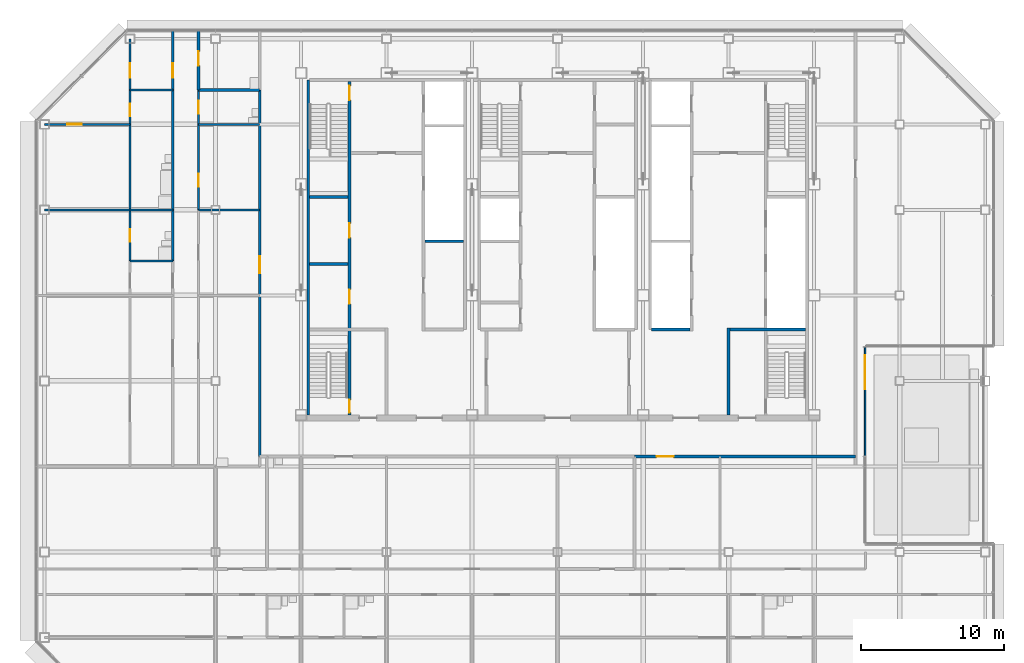
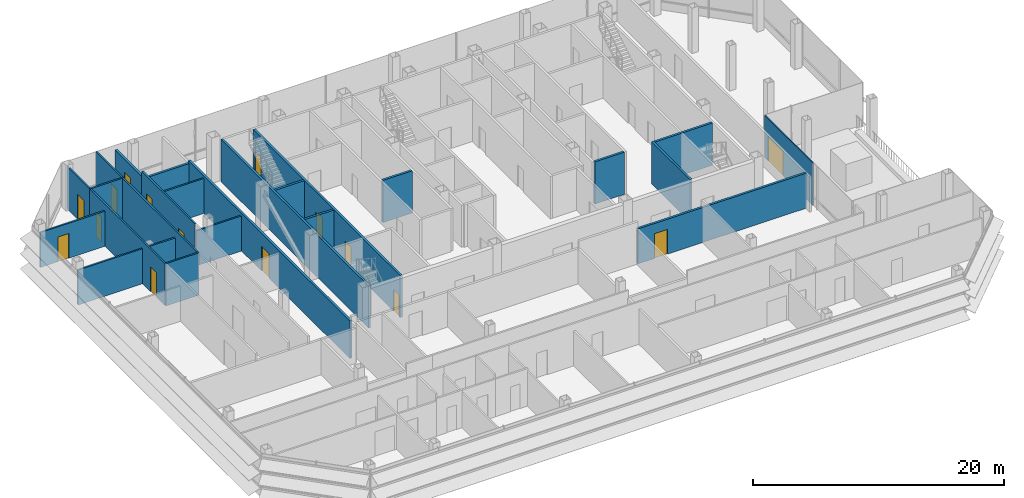
# One storey, part 24 of 30: 25 walls, 15 doors, 15 openings.
"""IFC4 building model written with IfcOpenShell, lengths in metres."""

from ifc_helpers import new_model, si_unit, direction, frame, frame_2d, origin, place, context, subcontext, project, spatial, rectangle, extrude, material, layer, layer_set, type_object, element, fill, save


model = new_model("IFC4")

# Units and contexts
model_context = context("Model", 3, precision=1e-05, world=origin(), true_north=direction((0.0, 1.0)))
body_context = subcontext(model_context, "Body", "Model", "MODEL_VIEW")
ifc_project = project(units=[si_unit("LENGTHUNIT", "METRE"), si_unit("AREAUNIT", "SQUARE_METRE"), si_unit("VOLUMEUNIT", "CUBIC_METRE"), si_unit("PLANEANGLEUNIT", "RADIAN"), si_unit("MASSUNIT", "GRAM", prefix="KILO")], contexts=[model_context])

# Site, building, storey
site_placement = place(None, origin())
site = spatial("IfcSite", under=ifc_project, at=site_placement, CompositionType="ELEMENT")
building_placement = place(site_placement, origin())
building = spatial("IfcBuilding", under=site, at=building_placement, Name="Sorahane Residences", CompositionType="ELEMENT")
storey_placement = place(building_placement, frame((0.0, 0.0, 229.800048828125)))
storey = spatial("IfcBuildingStorey", under=building, at=storey_placement, Name="L54", CompositionType="ELEMENT", Elevation=229.800048828125)

# Wall
ifc_material_1 = material(Name="Concrete C30", Category="concrete")
ifc_layer_1 = layer(ifc_material_1, 0.199951171875)
ifc_layer_set_1 = layer_set([ifc_layer_1], Name="Core face wall 200 EI 180")
wall_type_1 = type_object("IfcWallType", Name="Core face wall 200 EI 180", PredefinedType="SOLIDWALL", material=ifc_layer_set_1)
wall_1_placement = place(storey_placement, frame((6.5, 21.60009765625, 0.0), z_axis=(0.0, 0.0, 1.0), x_axis=(0.0, 1.0, 0.0)))
element("IfcWall", 1, at=wall_1_placement, inside=storey, type_object=wall_type_1, Name="L54 core face wall", PredefinedType="SOLIDWALL", context=body_context, shape_type="SweptSolid", body=[
    extrude(rectangle(XDim=23.5, YDim=0.199951171875, at=frame_2d((11.75, 0.0))), origin(), (0.0, 0.0, 1.0), 4.099853515625),
])

# Wall, opening, door
ifc_material_2 = material(Name="Concrete blockwork C20 wall", Category="masonry")
ifc_layer_2 = layer(ifc_material_2, 0.199951171875)
ifc_layer_set_2 = layer_set([ifc_layer_2], Name="Corridor wall 200 EI 120")
wall_type_2 = type_object("IfcWallType", Name="Corridor wall 200 EI 120", PredefinedType="SOLIDWALL", material=ifc_layer_set_2)
wall_2_placement = place(storey_placement, frame((3.10009765625, 18.699951171875, 0.0), z_axis=(0.0, 0.0, 1.0), x_axis=(0.0, 1.0, 0.0)))
wall_2 = element("IfcWall", 2, at=wall_2_placement, inside=storey, type_object=wall_type_2, Name="L54 corridor wall", PredefinedType="SOLIDWALL", context=body_context, shape_type="SweptSolid", body=[
    extrude(rectangle(XDim=25.699951171875, YDim=0.199951171875, at=frame_2d((12.85009765625, 0.0))), origin(), (0.0, 0.0, 1.0), 3.64990234375),
])
opening_1_placement = place(wall_2_placement, frame((12.840087890625, 0.0, 0.0)))
opening_1 = element("IfcOpeningElement", 3, at=opening_1_placement, cuts=wall_2, Name="Opening L54-42", PredefinedType="OPENING", context=body_context, shape_type="SweptSolid", body=[
    extrude(rectangle(XDim=1.199951171875, YDim=2.39990234375, at=frame_2d((0.60009765625, 1.199951171875))), frame((0.0, 0.10986328125, 0.0), z_axis=(0.0, -1.0, 0.0), x_axis=(1.0, 0.0, 0.0)), (0.0, 0.0, 1.0), 0.219970703125),
])
ifc_material_3 = material(Name="Timber veneered fire door", Category="wood")
door_type_1 = type_object("IfcDoorType", Name="Flat entrance door 1200x2400 FD60", OperationType="NOTDEFINED", PredefinedType="DOOR", material=ifc_material_3)
door_1_placement = place(opening_1_placement, origin())
door_1 = element("IfcDoor", 4, at=door_1_placement, inside=storey, type_object=door_type_1, Name="Flat entrance door L54-42", OperationType="SINGLE_SWING_RIGHT", OverallHeight=2.39990234375, OverallWidth=1.199951171875, PredefinedType="DOOR", context=body_context, shape_type="SweptSolid", body=[
    extrude(rectangle(XDim=1.199951171875, YDim=2.39990234375, at=frame_2d((0.60009765625, 1.199951171875))), frame((0.0, 0.02490234375, 0.0), z_axis=(0.0, -1.0, 0.0), x_axis=(1.0, 0.0, 0.0)), (0.0, 0.0, 1.0), 0.050048828125),
])
fill(opening_1, door_1)

wall_3_placement = place(storey_placement, frame((29.39990234375, 18.699951171875, 0.0), z_axis=(0.0, 0.0, 1.0), x_axis=(1.0, 0.0, 0.0)))
wall_3 = element("IfcWall", 5, at=wall_3_placement, inside=storey, type_object=wall_type_2, Name="L54 corridor wall", PredefinedType="SOLIDWALL", context=body_context, shape_type="SweptSolid", body=[
    extrude(rectangle(XDim=15.5, YDim=0.199951171875, at=frame_2d((7.75, 0.0))), origin(), (0.0, 0.0, 1.0), 3.39990234375),
])
opening_2_placement = place(wall_3_placement, frame((1.5400390625, 0.0, 0.0)))
opening_2 = element("IfcOpeningElement", 6, at=opening_2_placement, cuts=wall_3, Name="Opening L54-41", PredefinedType="OPENING", context=body_context, shape_type="SweptSolid", body=[
    extrude(rectangle(XDim=1.199951171875, YDim=2.39990234375, at=frame_2d((0.60009765625, 1.199951171875))), frame((0.0, 0.10986328125, 0.0), z_axis=(0.0, -1.0, 0.0), x_axis=(1.0, 0.0, 0.0)), (0.0, 0.0, 1.0), 0.219970703125),
])
door_2_placement = place(opening_2_placement, frame((1.199951171875, 0.0, 0.0), z_axis=(0.0, 0.0, 1.0), x_axis=(-1.0, 0.0, 0.0)))
door_2 = element("IfcDoor", 7, at=door_2_placement, inside=storey, type_object=door_type_1, Name="Flat entrance door L54-41", OperationType="SINGLE_SWING_LEFT", OverallHeight=2.39990234375, OverallWidth=1.199951171875, PredefinedType="DOOR", context=body_context, shape_type="SweptSolid", body=[
    extrude(rectangle(XDim=1.199951171875, YDim=2.39990234375, at=frame_2d((0.60009765625, 1.199951171875))), frame((0.0, 0.02490234375, 0.0), z_axis=(0.0, -1.0, 0.0), x_axis=(1.0, 0.0, 0.0)), (0.0, 0.0, 1.0), 0.050048828125),
])
fill(opening_2, door_2)

# Wall
ifc_material_4 = material(Name="Concrete C30", Category="concrete")
ifc_layer_3 = layer(ifc_material_4, 0.199951171875)
ifc_layer_set_3 = layer_set([ifc_layer_3], Name="Front room wall 200 EI 120")
wall_type_3 = type_object("IfcWallType", Name="Front room wall 200 EI 120", PredefinedType="PARTITIONING", material=ifc_layer_set_3)
wall_4_placement = place(storey_placement, frame((36.0, 21.60009765625, 0.0), z_axis=(0.0, 0.0, 1.0), x_axis=(0.0, 1.0, 0.0)))
element("IfcWall", 8, at=wall_4_placement, inside=storey, type_object=wall_type_3, Name="L54 front room wall", PredefinedType="PARTITIONING", context=body_context, shape_type="SweptSolid", body=[
    extrude(rectangle(XDim=6.099853515625, YDim=0.199951171875, at=frame_2d((3.0498046875, 0.0))), origin(), (0.0, 0.0, 1.0), 4.099853515625),
])

# Wall, opening, door
ifc_material_5 = material(Name="Toughened low-iron glass", Category="glass")
ifc_layer_4 = layer(ifc_material_5, 0.10009765625)
ifc_layer_set_4 = layer_set([ifc_layer_4], Name="Glazed door screen toughened low-iron glass 100")
wall_type_4 = type_object("IfcWallType", Name="Glazed door screen toughened low-iron glass 100", PredefinedType="SOLIDWALL", material=ifc_layer_set_4)
wall_5_placement = place(storey_placement, frame((45.570068359375, 18.72509765625, 0.0), z_axis=(0.0, 0.0, 1.0), x_axis=(0.0, 1.0, 0.0)))
wall_5 = element("IfcWall", 9, at=wall_5_placement, inside=storey, type_object=wall_type_4, Name="Glazed door screen L54 E2.3", PredefinedType="SOLIDWALL", context=body_context, shape_type="SweptSolid", body=[
    extrude(rectangle(XDim=7.625, YDim=0.10009765625, at=frame_2d((3.8125, 0.0))), origin(), (0.0, 0.0, 1.0), 4.099853515625),
])
opening_3_placement = place(wall_5_placement, frame((4.675048828125, 0.0, 0.0)))
opening_3 = element("IfcOpeningElement", 10, at=opening_3_placement, cuts=wall_5, Name="Opening L54-F01", PredefinedType="OPENING", context=body_context, shape_type="SweptSolid", body=[
    extrude(rectangle(XDim=2.39990234375, YDim=2.39990234375, at=frame_2d((1.199951171875, 1.199951171875))), frame((0.0, 0.06005859375, 0.0), z_axis=(0.0, -1.0, 0.0), x_axis=(1.0, 0.0, 0.0)), (0.0, 0.0, 1.0), 0.1201171875),
])
ifc_material_6 = material(Name="Black anodised aluminium and low-iron glass", Category="aluminium")
door_type_2 = type_object("IfcDoorType", Name="Glazed terrace door black aluminium 2400x2400", OperationType="DOUBLE_DOOR_SINGLE_SWING", PredefinedType="DOOR", material=ifc_material_6)
door_3_placement = place(opening_3_placement, origin())
door_3 = element("IfcDoor", 11, at=door_3_placement, inside=storey, type_object=door_type_2, Name="Terrace door L54-F01", OperationType="DOUBLE_DOOR_SINGLE_SWING", OverallHeight=2.39990234375, OverallWidth=2.39990234375, PredefinedType="DOOR", context=body_context, shape_type="SweptSolid", body=[
    extrude(rectangle(XDim=2.39990234375, YDim=2.39990234375, at=frame_2d((1.199951171875, 1.199951171875))), frame((0.0, 0.02490234375, 0.0), z_axis=(0.0, -1.0, 0.0), x_axis=(1.0, 0.0, 0.0)), (0.0, 0.0, 1.0), 0.050048828125),
])
fill(opening_3, door_3)

ifc_material_7 = material(Name="Concrete blockwork C20 wall", Category="masonry")
ifc_layer_5 = layer(ifc_material_7, 0.199951171875)
ifc_layer_set_5 = layer_set([ifc_layer_5], Name="Kitchen wall 200 EI 180")
wall_type_5 = type_object("IfcWallType", Name="Kitchen wall 200 EI 180", PredefinedType="SOLIDWALL", material=ifc_layer_set_5)
wall_6_placement = place(storey_placement, frame((-1.199951171875, 44.39990234375, 0.0), z_axis=(0.0, 0.0, 1.0), x_axis=(0.0, 1.0, 0.0)))
wall_6 = element("IfcWall", 12, at=wall_6_placement, inside=storey, type_object=wall_type_5, Name="L54 kitchen wall", PredefinedType="SOLIDWALL", context=body_context, shape_type="SweptSolid", body=[
    extrude(rectangle(XDim=4.2001953125, YDim=0.199951171875, at=frame_2d((2.10009765625, 0.0))), origin(), (0.0, 0.0, 1.0), 3.64990234375),
])
opening_4_placement = place(wall_6_placement, frame((1.719970703125, 0.0, 0.0)))
opening_4 = element("IfcOpeningElement", 13, at=opening_4_placement, cuts=wall_6, Name="Opening L54-30", PredefinedType="OPENING", context=body_context, shape_type="SweptSolid", body=[
    extrude(rectangle(XDim=1.0, YDim=2.39990234375, at=frame_2d((0.5, 1.199951171875))), frame((0.0, 0.10986328125, 0.0), z_axis=(0.0, -1.0, 0.0), x_axis=(1.0, 0.0, 0.0)), (0.0, 0.0, 1.0), 0.219970703125),
])
ifc_material_8 = material(Name="Steel", Category="steel")
door_type_3 = type_object("IfcDoorType", Name="Kitchen door 1000x2400 FD120", OperationType="NOTDEFINED", PredefinedType="DOOR", material=ifc_material_8)
door_4_placement = place(opening_4_placement, frame((1.0, 0.0, 0.0), z_axis=(0.0, 0.0, 1.0), x_axis=(-1.0, 0.0, 0.0)))
door_4 = element("IfcDoor", 14, at=door_4_placement, inside=storey, type_object=door_type_3, Name="Kitchen door L54-30", OperationType="SINGLE_SWING_LEFT", OverallHeight=2.39990234375, OverallWidth=1.0, PredefinedType="DOOR", context=body_context, shape_type="SweptSolid", body=[
    extrude(rectangle(XDim=1.0, YDim=2.39990234375, at=frame_2d((0.5, 1.199951171875))), frame((0.0, 0.02490234375, 0.0), z_axis=(0.0, -1.0, 0.0), x_axis=(1.0, 0.0, 0.0)), (0.0, 0.0, 1.0), 0.050048828125),
])
fill(opening_4, door_4)

# Walls
wall_7_placement = place(storey_placement, frame((-1.199951171875, 44.39990234375, 0.0), z_axis=(0.0, 0.0, 1.0), x_axis=(1.0, 0.0, 0.0)))
element("IfcWall", 15, at=wall_7_placement, inside=storey, type_object=wall_type_5, Name="L54 kitchen wall", PredefinedType="SOLIDWALL", context=body_context, shape_type="SweptSolid", body=[
    extrude(rectangle(XDim=4.300048828125, YDim=0.199951171875, at=frame_2d((2.14990234375, 0.0))), origin(), (0.0, 0.0, 1.0), 3.39990234375),
])
ifc_material_9 = material(Name="Concrete C30", Category="concrete")
ifc_layer_6 = layer(ifc_material_9, 0.199951171875)
ifc_layer_set_6 = layer_set([ifc_layer_6], Name="Lift shaft wall 200 EI 120")
wall_type_6 = type_object("IfcWallType", Name="Lift shaft wall 200 EI 120", PredefinedType="SOLIDWALL", material=ifc_layer_set_6)
wall_8_placement = place(storey_placement, frame((30.60009765625, 27.60009765625, 0.0), z_axis=(0.0, 0.0, 1.0), x_axis=(1.0, 0.0, 0.0)))
element("IfcWall", 16, at=wall_8_placement, inside=storey, type_object=wall_type_6, Name="L54 lift shaft wall", PredefinedType="SOLIDWALL", context=body_context, shape_type="SweptSolid", body=[
    extrude(rectangle(XDim=2.699951171875, YDim=0.199951171875, at=frame_2d((1.35009765625, 0.0))), origin(), (0.0, 0.0, 1.0), 4.099853515625),
])

# Wall, opening, door
ifc_material_10 = material(Name="Gypsum board partition on steel studs", Category="steel")
ifc_layer_7 = layer(ifc_material_10, 0.14990234375)
ifc_layer_set_7 = layer_set([ifc_layer_7], Name="Partition 150 EI 90")
wall_type_7 = type_object("IfcWallType", Name="Partition 150 EI 90", PredefinedType="PARTITIONING", material=ifc_layer_set_7)
wall_9_placement = place(storey_placement, frame((-3.0, 44.39990234375, 0.0), z_axis=(0.0, 0.0, 1.0), x_axis=(0.0, 1.0, 0.0)))
wall_9 = element("IfcWall", 17, at=wall_9_placement, inside=storey, type_object=wall_type_7, Name="L54 partition", PredefinedType="PARTITIONING", context=body_context, shape_type="SweptSolid", body=[
    extrude(rectangle(XDim=4.2001953125, YDim=0.14990234375, at=frame_2d((2.10009765625, 0.0))), origin(), (0.0, 0.0, 1.0), 4.099853515625),
])
opening_5_placement = place(wall_9_placement, frame((0.8798828125, 0.0, 0.0)))
opening_5 = element("IfcOpeningElement", 18, at=opening_5_placement, cuts=wall_9, Name="Opening L54-33", PredefinedType="OPENING", context=body_context, shape_type="SweptSolid", body=[
    extrude(rectangle(XDim=1.0, YDim=2.39990234375, at=frame_2d((0.5, 1.199951171875))), frame((0.0, 0.0849609375, 0.0), z_axis=(0.0, -1.0, 0.0), x_axis=(1.0, 0.0, 0.0)), (0.0, 0.0, 1.0), 0.169921875),
])
ifc_material_11 = material(Name="Timber veneered fire door", Category="wood")
door_type_4 = type_object("IfcDoorType", Name="Room door 1000x2400 FD30", OperationType="NOTDEFINED", PredefinedType="DOOR", material=ifc_material_11)
door_5_placement = place(opening_5_placement, origin())
door_5 = element("IfcDoor", 19, at=door_5_placement, inside=storey, type_object=door_type_4, Name="Room door L54-33", OperationType="SINGLE_SWING_RIGHT", OverallHeight=2.39990234375, OverallWidth=1.0, PredefinedType="DOOR", context=body_context, shape_type="SweptSolid", body=[
    extrude(rectangle(XDim=1.0, YDim=2.39990234375, at=frame_2d((0.5, 1.199951171875))), frame((0.0, 0.02490234375, 0.0), z_axis=(0.0, -1.0, 0.0), x_axis=(1.0, 0.0, 0.0)), (0.0, 0.0, 1.0), 0.050048828125),
])
fill(opening_5, door_5)

wall_10_placement = place(storey_placement, frame((-6.0, 44.39990234375, 0.0), z_axis=(0.0, 0.0, 1.0), x_axis=(0.0, 1.0, 0.0)))
wall_10 = element("IfcWall", 20, at=wall_10_placement, inside=storey, type_object=wall_type_7, Name="L54 partition", PredefinedType="PARTITIONING", context=body_context, shape_type="SweptSolid", body=[
    extrude(rectangle(XDim=3.60009765625, YDim=0.14990234375, at=frame_2d((1.800048828125, 0.0))), origin(), (0.0, 0.0, 1.0), 4.099853515625),
])
opening_6_placement = place(wall_10_placement, frame((0.8798828125, 0.0, 0.0)))
opening_6 = element("IfcOpeningElement", 21, at=opening_6_placement, cuts=wall_10, Name="Opening L54-37", PredefinedType="OPENING", context=body_context, shape_type="SweptSolid", body=[
    extrude(rectangle(XDim=1.0, YDim=2.39990234375, at=frame_2d((0.5, 1.199951171875))), frame((0.0, 0.0849609375, 0.0), z_axis=(0.0, -1.0, 0.0), x_axis=(1.0, 0.0, 0.0)), (0.0, 0.0, 1.0), 0.169921875),
])
door_6_placement = place(opening_6_placement, origin())
door_6 = element("IfcDoor", 22, at=door_6_placement, inside=storey, type_object=door_type_4, Name="Room door L54-37", OperationType="SINGLE_SWING_RIGHT", OverallHeight=2.39990234375, OverallWidth=1.0, PredefinedType="DOOR", context=body_context, shape_type="SweptSolid", body=[
    extrude(rectangle(XDim=1.0, YDim=2.39990234375, at=frame_2d((0.5, 1.199951171875))), frame((0.0, 0.02490234375, 0.0), z_axis=(0.0, -1.0, 0.0), x_axis=(1.0, 0.0, 0.0)), (0.0, 0.0, 1.0), 0.050048828125),
])
fill(opening_6, door_6)

# Wall
wall_11_placement = place(storey_placement, frame((-12.0, 36.0, 0.0), z_axis=(0.0, 0.0, 1.0), x_axis=(1.0, 0.0, 0.0)))
element("IfcWall", 23, at=wall_11_placement, inside=storey, type_object=wall_type_7, Name="L54 partition", PredefinedType="PARTITIONING", context=body_context, shape_type="SweptSolid", body=[
    extrude(rectangle(XDim=6.0, YDim=0.14990234375, at=frame_2d((3.0, 0.0))), origin(), (0.0, 0.0, 1.0), 3.39990234375),
])

# Wall, opening, door
wall_12_placement = place(storey_placement, frame((-12.0, 42.0, 0.0), z_axis=(0.0, 0.0, 1.0), x_axis=(1.0, 0.0, 0.0)))
wall_12 = element("IfcWall", 24, at=wall_12_placement, inside=storey, type_object=wall_type_7, Name="L54 partition", PredefinedType="PARTITIONING", context=body_context, shape_type="SweptSolid", body=[
    extrude(rectangle(XDim=6.0, YDim=0.14990234375, at=frame_2d((3.0, 0.0))), origin(), (0.0, 0.0, 1.0), 3.39990234375),
])
opening_7_placement = place(wall_12_placement, frame((1.60009765625, 0.0, 0.0)))
opening_7 = element("IfcOpeningElement", 25, at=opening_7_placement, cuts=wall_12, Name="Opening L54-38", PredefinedType="OPENING", context=body_context, shape_type="SweptSolid", body=[
    extrude(rectangle(XDim=1.0, YDim=2.39990234375, at=frame_2d((0.5, 1.199951171875))), frame((0.0, 0.0849609375, 0.0), z_axis=(0.0, -1.0, 0.0), x_axis=(1.0, 0.0, 0.0)), (0.0, 0.0, 1.0), 0.169921875),
])
door_7_placement = place(opening_7_placement, frame((1.0, 0.0, 0.0), z_axis=(0.0, 0.0, 1.0), x_axis=(-1.0, 0.0, 0.0)))
door_7 = element("IfcDoor", 26, at=door_7_placement, inside=storey, type_object=door_type_4, Name="Room door L54-38", OperationType="SINGLE_SWING_RIGHT", OverallHeight=2.39990234375, OverallWidth=1.0, PredefinedType="DOOR", context=body_context, shape_type="SweptSolid", body=[
    extrude(rectangle(XDim=1.0, YDim=2.39990234375, at=frame_2d((0.5, 1.199951171875))), frame((0.0, 0.02490234375, 0.0), z_axis=(0.0, -1.0, 0.0), x_axis=(1.0, 0.0, 0.0)), (0.0, 0.0, 1.0), 0.050048828125),
])
fill(opening_7, door_7)

# Walls
ifc_material_12 = material(Name="Concrete C30", Category="concrete")
ifc_layer_8 = layer(ifc_material_12, 0.199951171875)
ifc_layer_set_8 = layer_set([ifc_layer_8], Name="Riser shaft wall 200 EI 120")
wall_type_8 = type_object("IfcWallType", Name="Riser shaft wall 200 EI 120", PredefinedType="SOLIDWALL", material=ifc_layer_set_8)
wall_13_placement = place(storey_placement, frame((14.699951171875, 33.800048828125, 0.0), z_axis=(0.0, 0.0, 1.0), x_axis=(1.0, 0.0, 0.0)))
element("IfcWall", 27, at=wall_13_placement, inside=storey, type_object=wall_type_8, Name="L54 riser wall", PredefinedType="SOLIDWALL", context=body_context, shape_type="SweptSolid", body=[
    extrude(rectangle(XDim=2.699951171875, YDim=0.199951171875, at=frame_2d((1.35009765625, 0.0))), origin(), (0.0, 0.0, 1.0), 4.099853515625),
])
ifc_material_13 = material(Name="Concrete C30", Category="concrete")
ifc_layer_9 = layer(ifc_material_13, 0.199951171875)
ifc_layer_set_9 = layer_set([ifc_layer_9], Name="Service room partition 200 EI 60")
wall_type_9 = type_object("IfcWallType", Name="Service room partition 200 EI 60", PredefinedType="PARTITIONING", material=ifc_layer_set_9)
wall_14_placement = place(storey_placement, frame((6.60009765625, 32.199951171875, 0.0), z_axis=(0.0, 0.0, 1.0), x_axis=(1.0, 0.0, 0.0)))
element("IfcWall", 28, at=wall_14_placement, inside=storey, type_object=wall_type_9, Name="L54 service room wall", PredefinedType="PARTITIONING", context=body_context, shape_type="SweptSolid", body=[
    extrude(rectangle(XDim=2.699951171875, YDim=0.199951171875, at=frame_2d((1.35009765625, 0.0))), origin(), (0.0, 0.0, 1.0), 4.099853515625),
])

# Wall, openings, doors
ifc_material_14 = material(Name="Concrete C30", Category="concrete")
ifc_layer_10 = layer(ifc_material_14, 0.199951171875)
ifc_layer_set_10 = layer_set([ifc_layer_10], Name="Stair enclosure wall 200 EI 120")
wall_type_10 = type_object("IfcWallType", Name="Stair enclosure wall 200 EI 120", PredefinedType="SOLIDWALL", material=ifc_layer_set_10)
wall_15_placement = place(storey_placement, frame((9.39990234375, 21.60009765625, 0.0), z_axis=(0.0, 0.0, 1.0), x_axis=(0.0, 1.0, 0.0)))
wall_15 = element("IfcWall", 29, at=wall_15_placement, inside=storey, type_object=wall_type_10, Name="L54 stair enclosure wall", PredefinedType="SOLIDWALL", context=body_context, shape_type="SweptSolid", body=[
    extrude(rectangle(XDim=23.39990234375, YDim=0.199951171875, at=frame_2d((11.699951171875, 0.0))), origin(), (0.0, 0.0, 1.0), 4.099853515625),
])
opening_8_placement = place(wall_15_placement, frame((7.800048828125, 0.0, 0.0)))
opening_8 = element("IfcOpeningElement", 30, at=opening_8_placement, cuts=wall_15, Name="Opening L54-C21", PredefinedType="OPENING", context=body_context, shape_type="SweptSolid", body=[
    extrude(rectangle(XDim=1.0, YDim=2.10009765625, at=frame_2d((0.5, 1.050048828125))), frame((0.0, 0.10986328125, 0.0), z_axis=(0.0, -1.0, 0.0), x_axis=(1.0, 0.0, 0.0)), (0.0, 0.0, 1.0), 0.219970703125),
])
opening_9_placement = place(wall_15_placement, frame((12.449951171875, 0.0, 0.0)))
opening_9 = element("IfcOpeningElement", 31, at=opening_9_placement, cuts=wall_15, Name="Opening L54-C22", PredefinedType="OPENING", context=body_context, shape_type="SweptSolid", body=[
    extrude(rectangle(XDim=1.0, YDim=2.10009765625, at=frame_2d((0.5, 1.050048828125))), frame((0.0, 0.10986328125, 0.0), z_axis=(0.0, -1.0, 0.0), x_axis=(1.0, 0.0, 0.0)), (0.0, 0.0, 1.0), 0.219970703125),
])
opening_10_placement = place(wall_15_placement, frame((22.10009765625, 0.0, 0.0)))
opening_10 = element("IfcOpeningElement", 32, at=opening_10_placement, cuts=wall_15, Name="Opening L54-C23", PredefinedType="OPENING", context=body_context, shape_type="SweptSolid", body=[
    extrude(rectangle(XDim=1.0, YDim=2.10009765625, at=frame_2d((0.5, 1.050048828125))), frame((0.0, 0.10986328125, 0.0), z_axis=(0.0, -1.0, 0.0), x_axis=(1.0, 0.0, 0.0)), (0.0, 0.0, 1.0), 0.219970703125),
])
opening_11_placement = place(wall_15_placement, frame((0.175048828125, 0.0, 0.0)))
opening_11 = element("IfcOpeningElement", 33, at=opening_11_placement, cuts=wall_15, Name="Opening L54-C26", PredefinedType="OPENING", context=body_context, shape_type="SweptSolid", body=[
    extrude(rectangle(XDim=0.89990234375, YDim=2.10009765625, at=frame_2d((0.449951171875, 1.050048828125))), frame((0.0, 0.10986328125, 0.0), z_axis=(0.0, -1.0, 0.0), x_axis=(1.0, 0.0, 0.0)), (0.0, 0.0, 1.0), 0.219970703125),
])
ifc_material_15 = material(Name="Steel", Category="steel")
door_type_5 = type_object("IfcDoorType", Name="Service room door 1000x2100 FD60", OperationType="NOTDEFINED", PredefinedType="DOOR", material=ifc_material_15)
door_8_placement = place(opening_8_placement, origin())
door_8 = element("IfcDoor", 34, at=door_8_placement, inside=storey, type_object=door_type_5, Name="Service room door Valet store L54", OperationType="SINGLE_SWING_RIGHT", OverallHeight=2.10009765625, OverallWidth=1.0, PredefinedType="DOOR", context=body_context, shape_type="SweptSolid", body=[
    extrude(rectangle(XDim=1.0, YDim=2.10009765625, at=frame_2d((0.5, 1.050048828125))), frame((0.0, 0.02490234375, 0.0), z_axis=(0.0, -1.0, 0.0), x_axis=(1.0, 0.0, 0.0)), (0.0, 0.0, 1.0), 0.050048828125),
])
fill(opening_8, door_8)
door_9_placement = place(opening_9_placement, origin())
door_9 = element("IfcDoor", 35, at=door_9_placement, inside=storey, type_object=door_type_5, Name="Service room door Valet store L54", OperationType="SINGLE_SWING_LEFT", OverallHeight=2.10009765625, OverallWidth=1.0, PredefinedType="DOOR", context=body_context, shape_type="SweptSolid", body=[
    extrude(rectangle(XDim=1.0, YDim=2.10009765625, at=frame_2d((0.5, 1.050048828125))), frame((0.0, 0.02490234375, 0.0), z_axis=(0.0, -1.0, 0.0), x_axis=(1.0, 0.0, 0.0)), (0.0, 0.0, 1.0), 0.050048828125),
])
fill(opening_9, door_9)
ifc_material_16 = material(Name="Steel", Category="steel")
door_type_6 = type_object("IfcDoorType", Name="Stair door 1000x2100 FD120", OperationType="NOTDEFINED", PredefinedType="DOOR", material=ifc_material_16)
door_10_placement = place(opening_10_placement, origin())
door_10 = element("IfcDoor", 36, at=door_10_placement, inside=storey, type_object=door_type_6, Name="Stair door S1 L54", OperationType="SINGLE_SWING_LEFT", OverallHeight=2.10009765625, OverallWidth=1.0, PredefinedType="DOOR", context=body_context, shape_type="SweptSolid", body=[
    extrude(rectangle(XDim=1.0, YDim=2.10009765625, at=frame_2d((0.5, 1.050048828125))), frame((0.0, 0.02490234375, 0.0), z_axis=(0.0, -1.0, 0.0), x_axis=(1.0, 0.0, 0.0)), (0.0, 0.0, 1.0), 0.050048828125),
])
fill(opening_10, door_10)
ifc_material_17 = material(Name="Steel", Category="steel")
door_type_7 = type_object("IfcDoorType", Name="Stair door 900x2100 FD120", OperationType="NOTDEFINED", PredefinedType="DOOR", material=ifc_material_17)
door_11_placement = place(opening_11_placement, origin())
door_11 = element("IfcDoor", 37, at=door_11_placement, inside=storey, type_object=door_type_7, Name="Stair door S4 L54", OperationType="SINGLE_SWING_LEFT", OverallHeight=2.10009765625, OverallWidth=0.89990234375, PredefinedType="DOOR", context=body_context, shape_type="SweptSolid", body=[
    extrude(rectangle(XDim=0.89990234375, YDim=2.10009765625, at=frame_2d((0.449951171875, 1.050048828125))), frame((0.0, 0.02490234375, 0.0), z_axis=(0.0, -1.0, 0.0), x_axis=(1.0, 0.0, 0.0)), (0.0, 0.0, 1.0), 0.050048828125),
])
fill(opening_11, door_11)

# Walls
wall_16_placement = place(storey_placement, frame((36.10009765625, 27.60009765625, 0.0), z_axis=(0.0, 0.0, 1.0), x_axis=(1.0, 0.0, 0.0)))
element("IfcWall", 38, at=wall_16_placement, inside=storey, type_object=wall_type_10, Name="L54 stair enclosure wall", PredefinedType="SOLIDWALL", context=body_context, shape_type="SweptSolid", body=[
    extrude(rectangle(XDim=5.2998046875, YDim=0.199951171875, at=frame_2d((2.64990234375, 0.0))), origin(), (0.0, 0.0, 1.0), 4.099853515625),
])
wall_17_placement = place(storey_placement, frame((6.60009765625, 36.89990234375, 0.0), z_axis=(0.0, 0.0, 1.0), x_axis=(1.0, 0.0, 0.0)))
element("IfcWall", 39, at=wall_17_placement, inside=storey, type_object=wall_type_10, Name="L54 stair enclosure wall", PredefinedType="SOLIDWALL", context=body_context, shape_type="SweptSolid", body=[
    extrude(rectangle(XDim=2.699951171875, YDim=0.199951171875, at=frame_2d((1.35009765625, 0.0))), origin(), (0.0, 0.0, 1.0), 4.099853515625),
])

# Wall, openings, doors
ifc_material_18 = material(Name="Gypsum board partition on steel studs", Category="steel")
ifc_layer_11 = layer(ifc_material_18, 0.14990234375)
ifc_layer_set_11 = layer_set([ifc_layer_11], Name="Wet wall 150 EI 90")
wall_type_11 = type_object("IfcWallType", Name="Wet wall 150 EI 90", PredefinedType="PARTITIONING", material=ifc_layer_set_11)
wall_18_placement = place(storey_placement, frame((-1.199951171875, 36.0, 0.0), z_axis=(0.0, 0.0, 1.0), x_axis=(0.0, 1.0, 0.0)))
wall_18 = element("IfcWall", 40, at=wall_18_placement, inside=storey, type_object=wall_type_11, Name="L54 wet wall", PredefinedType="PARTITIONING", context=body_context, shape_type="SweptSolid", body=[
    extrude(rectangle(XDim=8.39990234375, YDim=0.14990234375, at=frame_2d((4.199951171875, 0.0))), origin(), (0.0, 0.0, 1.0), 4.099853515625),
])
opening_12_placement = place(wall_18_placement, frame((1.6298828125, 0.0, 0.0)))
opening_12 = element("IfcOpeningElement", 41, at=opening_12_placement, cuts=wall_18, Name="Opening L54-28", PredefinedType="OPENING", context=body_context, shape_type="SweptSolid", body=[
    extrude(rectangle(XDim=0.89990234375, YDim=2.10009765625, at=frame_2d((0.449951171875, 1.050048828125))), frame((0.0, 0.0849609375, 0.0), z_axis=(0.0, -1.0, 0.0), x_axis=(1.0, 0.0, 0.0)), (0.0, 0.0, 1.0), 0.169921875),
])
opening_13_placement = place(wall_18_placement, frame((6.75, 0.0, 0.0)))
opening_13 = element("IfcOpeningElement", 42, at=opening_13_placement, cuts=wall_18, Name="Opening L54-29", PredefinedType="OPENING", context=body_context, shape_type="SweptSolid", body=[
    extrude(rectangle(XDim=0.89990234375, YDim=2.39990234375, at=frame_2d((0.449951171875, 1.199951171875))), frame((0.0, 0.0849609375, 0.0), z_axis=(0.0, -1.0, 0.0), x_axis=(1.0, 0.0, 0.0)), (0.0, 0.0, 1.0), 0.169921875),
])
ifc_material_19 = material(Name="Timber veneered fire door", Category="wood")
door_type_8 = type_object("IfcDoorType", Name="Bathroom door 900x2400 FD30", OperationType="NOTDEFINED", PredefinedType="DOOR", material=ifc_material_19)
door_12_placement = place(opening_13_placement, origin())
door_12 = element("IfcDoor", 43, at=door_12_placement, inside=storey, type_object=door_type_8, Name="Bathroom door L54-29", OperationType="SINGLE_SWING_RIGHT", OverallHeight=2.39990234375, OverallWidth=0.89990234375, PredefinedType="DOOR", context=body_context, shape_type="SweptSolid", body=[
    extrude(rectangle(XDim=0.89990234375, YDim=2.39990234375, at=frame_2d((0.449951171875, 1.199951171875))), frame((0.0, 0.02490234375, 0.0), z_axis=(0.0, -1.0, 0.0), x_axis=(1.0, 0.0, 0.0)), (0.0, 0.0, 1.0), 0.050048828125),
])
fill(opening_13, door_12)
ifc_material_20 = material(Name="Timber veneered fire door", Category="wood")
door_type_9 = type_object("IfcDoorType", Name="Service door 900x2100 FD30", OperationType="NOTDEFINED", PredefinedType="DOOR", material=ifc_material_20)
door_13_placement = place(opening_12_placement, frame((0.89990234375, 0.0, 0.0), z_axis=(0.0, 0.0, 1.0), x_axis=(-1.0, 0.0, 0.0)))
door_13 = element("IfcDoor", 44, at=door_13_placement, inside=storey, type_object=door_type_9, Name="Service door L54-28", OperationType="SINGLE_SWING_RIGHT", OverallHeight=2.10009765625, OverallWidth=0.89990234375, PredefinedType="DOOR", context=body_context, shape_type="SweptSolid", body=[
    extrude(rectangle(XDim=0.89990234375, YDim=2.10009765625, at=frame_2d((0.449951171875, 1.050048828125))), frame((0.0, 0.02490234375, 0.0), z_axis=(0.0, -1.0, 0.0), x_axis=(1.0, 0.0, 0.0)), (0.0, 0.0, 1.0), 0.050048828125),
])
fill(opening_12, door_13)

# Wall
wall_19_placement = place(storey_placement, frame((-3.0, 32.39990234375, 0.0), z_axis=(0.0, 0.0, 1.0), x_axis=(0.0, 1.0, 0.0)))
element("IfcWall", 45, at=wall_19_placement, inside=storey, type_object=wall_type_11, Name="L54 wet wall", PredefinedType="PARTITIONING", context=body_context, shape_type="SweptSolid", body=[
    extrude(rectangle(XDim=12.0, YDim=0.14990234375, at=frame_2d((6.0, 0.0))), origin(), (0.0, 0.0, 1.0), 4.099853515625),
])

# Wall, openings, doors
wall_20_placement = place(storey_placement, frame((-6.0, 32.39990234375, 0.0), z_axis=(0.0, 0.0, 1.0), x_axis=(0.0, 1.0, 0.0)))
wall_20 = element("IfcWall", 46, at=wall_20_placement, inside=storey, type_object=wall_type_11, Name="L54 wet wall", PredefinedType="PARTITIONING", context=body_context, shape_type="SweptSolid", body=[
    extrude(rectangle(XDim=12.0, YDim=0.14990234375, at=frame_2d((6.0, 0.0))), origin(), (0.0, 0.0, 1.0), 4.099853515625),
])
opening_14_placement = place(wall_20_placement, frame((1.35009765625, 0.0, 0.0)))
opening_14 = element("IfcOpeningElement", 47, at=opening_14_placement, cuts=wall_20, Name="Opening L54-36", PredefinedType="OPENING", context=body_context, shape_type="SweptSolid", body=[
    extrude(rectangle(XDim=0.89990234375, YDim=2.39990234375, at=frame_2d((0.449951171875, 1.199951171875))), frame((0.0, 0.0849609375, 0.0), z_axis=(0.0, -1.0, 0.0), x_axis=(1.0, 0.0, 0.0)), (0.0, 0.0, 1.0), 0.169921875),
])
opening_15_placement = place(wall_20_placement, frame((10.14990234375, 0.0, 0.0)))
opening_15 = element("IfcOpeningElement", 48, at=opening_15_placement, cuts=wall_20, Name="Opening L54-39", PredefinedType="OPENING", context=body_context, shape_type="SweptSolid", body=[
    extrude(rectangle(XDim=0.89990234375, YDim=2.39990234375, at=frame_2d((0.449951171875, 1.199951171875))), frame((0.0, 0.0849609375, 0.0), z_axis=(0.0, -1.0, 0.0), x_axis=(1.0, 0.0, 0.0)), (0.0, 0.0, 1.0), 0.169921875),
])
door_14_placement = place(opening_14_placement, origin())
door_14 = element("IfcDoor", 49, at=door_14_placement, inside=storey, type_object=door_type_8, Name="Bathroom door L54-36", OperationType="SINGLE_SWING_LEFT", OverallHeight=2.39990234375, OverallWidth=0.89990234375, PredefinedType="DOOR", context=body_context, shape_type="SweptSolid", body=[
    extrude(rectangle(XDim=0.89990234375, YDim=2.39990234375, at=frame_2d((0.449951171875, 1.199951171875))), frame((0.0, 0.02490234375, 0.0), z_axis=(0.0, -1.0, 0.0), x_axis=(1.0, 0.0, 0.0)), (0.0, 0.0, 1.0), 0.050048828125),
])
fill(opening_14, door_14)
door_15_placement = place(opening_15_placement, origin())
door_15 = element("IfcDoor", 50, at=door_15_placement, inside=storey, type_object=door_type_8, Name="Bathroom door L54-39", OperationType="SINGLE_SWING_LEFT", OverallHeight=2.39990234375, OverallWidth=0.89990234375, PredefinedType="DOOR", context=body_context, shape_type="SweptSolid", body=[
    extrude(rectangle(XDim=0.89990234375, YDim=2.39990234375, at=frame_2d((0.449951171875, 1.199951171875))), frame((0.0, 0.02490234375, 0.0), z_axis=(0.0, -1.0, 0.0), x_axis=(1.0, 0.0, 0.0)), (0.0, 0.0, 1.0), 0.050048828125),
])
fill(opening_15, door_15)

# Walls
wall_21_placement = place(storey_placement, frame((-6.0, 32.39990234375, 0.0), z_axis=(0.0, 0.0, 1.0), x_axis=(1.0, 0.0, 0.0)))
element("IfcWall", 51, at=wall_21_placement, inside=storey, type_object=wall_type_11, Name="L54 wet wall", PredefinedType="PARTITIONING", context=body_context, shape_type="SweptSolid", body=[
    extrude(rectangle(XDim=3.0, YDim=0.14990234375, at=frame_2d((1.5, 0.0))), origin(), (0.0, 0.0, 1.0), 4.099853515625),
])
wall_22_placement = place(storey_placement, frame((-6.0, 36.0, 0.0), z_axis=(0.0, 0.0, 1.0), x_axis=(1.0, 0.0, 0.0)))
element("IfcWall", 52, at=wall_22_placement, inside=storey, type_object=wall_type_11, Name="L54 wet wall", PredefinedType="PARTITIONING", context=body_context, shape_type="SweptSolid", body=[
    extrude(rectangle(XDim=3.0, YDim=0.14990234375, at=frame_2d((1.5, 0.0))), origin(), (0.0, 0.0, 1.0), 3.39990234375),
])
for number, where, z_axis, x_axis, name in (
    (53, (-1.199951171875, 36.0, 0.0), (0.0, 0.0, 1.0), (1.0, 0.0, 0.0), "L54 wet wall"),
    (54, (-1.199951171875, 42.0, 0.0), (0.0, 0.0, 1.0), (1.0, 0.0, 0.0), "L54 wet wall"),
):
    element("IfcWall", number, at=place(storey_placement, frame(where, z_axis=z_axis, x_axis=x_axis)), inside=storey, type_object=wall_type_11, Name=name, PredefinedType="PARTITIONING", context=body_context, shape_type="SweptSolid", body=[
        extrude(rectangle(XDim=4.300048828125, YDim=0.14990234375, at=frame_2d((2.14990234375, 0.0))), origin(), (0.0, 0.0, 1.0), 3.39990234375),
    ])
wall_23_placement = place(storey_placement, frame((-6.0, 44.39990234375, 0.0), z_axis=(0.0, 0.0, 1.0), x_axis=(1.0, 0.0, 0.0)))
element("IfcWall", 55, at=wall_23_placement, inside=storey, type_object=wall_type_11, Name="L54 wet wall", PredefinedType="PARTITIONING", context=body_context, shape_type="SweptSolid", body=[
    extrude(rectangle(XDim=3.0, YDim=0.14990234375, at=frame_2d((1.5, 0.0))), origin(), (0.0, 0.0, 1.0), 4.099853515625),
])

save(model, "model.ifc")
